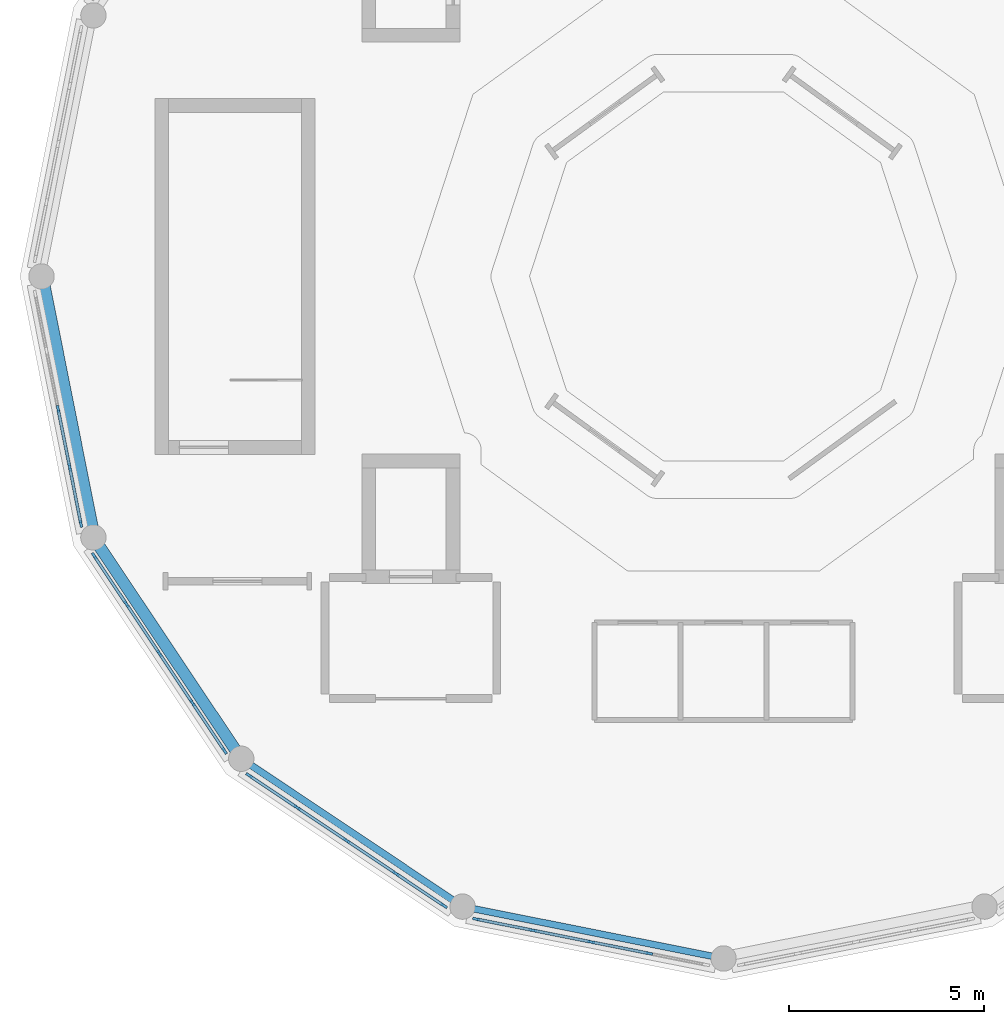
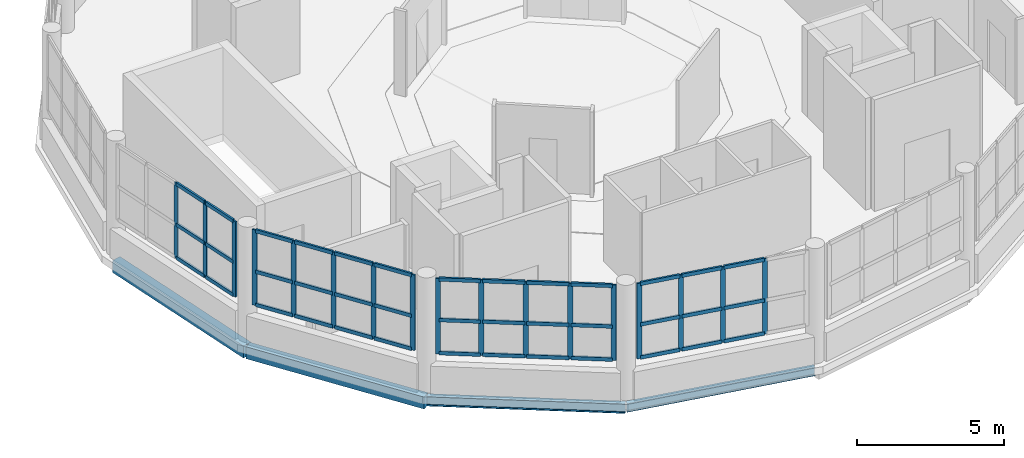
# One storey, part 2 of 12: 56 members, 4 beams, 4 elements without a shape of their own.
"""IFC4 building model written with IfcOpenShell, lengths in metres."""

from ifc_helpers import new_model, si_unit, direction, frame, origin, origin_2d, place, context, subcontext, project, spatial, rectangle, i_section, extrude, material, material_profile, profile_set, type_object, element, aggregate, save


model = new_model("IFC4")

# Units and contexts
model_context = context("Model", 3, precision=1e-05, world=origin(), true_north=direction((0.0, 1.0)))
body_context = subcontext(model_context, "Body", "Model", "MODEL_VIEW")
ifc_project = project(units=[si_unit("LENGTHUNIT", "METRE"), si_unit("AREAUNIT", "SQUARE_METRE"), si_unit("VOLUMEUNIT", "CUBIC_METRE"), si_unit("PLANEANGLEUNIT", "RADIAN"), si_unit("MASSUNIT", "GRAM", prefix="KILO")], contexts=[model_context])

# Site, building, storey
site_placement = place(None, origin())
site = spatial("IfcSite", under=ifc_project, at=site_placement, CompositionType="ELEMENT")
building_placement = place(site_placement, origin())
building = spatial("IfcBuilding", under=site, at=building_placement, Name="Soyqirgoq Riverine Aquarium", CompositionType="ELEMENT")
storey_placement = place(building_placement, frame((0.0, 0.0, 24.60009765625)))
storey = spatial("IfcBuildingStorey", under=building, at=storey_placement, Name="L06", CompositionType="ELEMENT", Elevation=24.60009765625)

# Curtain wall, members
ifc_material_1 = material(Name="Anodised aluminium acoustic solar-control clerestory glazing", Category="aluminium")
curtain_wall_type = type_object("IfcCurtainWallType", Name="CW_Clerestory_Ring", PredefinedType="NOTDEFINED", material=ifc_material_1)
curtain_wall_1_placement = place(storey_placement, origin())
curtain_wall_1 = element("IfcCurtainWall", 1, at=curtain_wall_1_placement, inside=storey, type_object=curtain_wall_type, Name="V1 L06 Curtain Wall 032", PredefinedType="NOTDEFINED")
ifc_material_2 = material(Name="Anodised aluminium 6063-T6", Category="aluminium")
ifc_material_profile_1 = material_profile(ifc_material_2, rectangle(XDim=0.06494140625, YDim=0.179931640625, at=origin_2d()), Name="ALU-M 65x180")
ifc_profile_set_1 = profile_set([ifc_material_profile_1], Name="Anodised aluminium 6063-T6")
member_type_1 = type_object("IfcMemberType", Name="CWMullion_65x180", PredefinedType="MULLION", material=ifc_profile_set_1)
member_1_placement = place(storey_placement, frame((38.9736328125, 53.61328125, 1.619873046875), z_axis=(0.0, 0.0, 1.0), x_axis=(0.980784299821, 0.19509525167, 0.0)))
member_1 = element("IfcMember", 2, at=member_1_placement, type_object=member_type_1, Name="CW-02 mullion 3", PredefinedType="MULLION", context=body_context, shape_type="SweptSolid", body=[
    extrude(rectangle(XDim=0.06494140625, YDim=0.179931640625, at=origin_2d()), origin(), (0.0, 0.0, 1.0), 3.14013671875),
])
member_2_placement = place(storey_placement, frame((39.26953125, 52.125732421875, 1.619873046875), z_axis=(0.0, 0.0, 1.0), x_axis=(0.980784299821, 0.19509525167, 0.0)))
member_2 = element("IfcMember", 3, at=member_2_placement, type_object=member_type_1, Name="CW-02 mullion 4", PredefinedType="MULLION", context=body_context, shape_type="SweptSolid", body=[
    extrude(rectangle(XDim=0.06494140625, YDim=0.179931640625, at=origin_2d()), origin(), (0.0, 0.0, 1.0), 3.14013671875),
])
member_3_placement = place(storey_placement, frame((39.55908203125, 50.670166015625, 1.619873046875), z_axis=(0.0, 0.0, 1.0), x_axis=(0.980784299821, 0.19509525167, 0.0)))
member_3 = element("IfcMember", 4, at=member_3_placement, type_object=member_type_1, Name="CW-02 mullion 5", PredefinedType="MULLION", context=body_context, shape_type="SweptSolid", body=[
    extrude(rectangle(XDim=0.06494140625, YDim=0.179931640625, at=origin_2d()), origin(), (0.0, 0.0, 1.0), 3.14013671875),
])

curtain_wall_2_placement = place(storey_placement, origin())
curtain_wall_2 = element("IfcCurtainWall", 5, at=curtain_wall_2_placement, inside=storey, type_object=curtain_wall_type, Name="V1 L06 Curtain Wall 039", PredefinedType="NOTDEFINED")
member_4_placement = place(storey_placement, frame((39.898681640625, 49.850341796875, 1.619873046875), z_axis=(0.0, 0.0, 1.0), x_axis=(0.831463994905, 0.555578639957, 0.0)))
member_4 = element("IfcMember", 6, at=member_4_placement, type_object=member_type_1, Name="CW-02 mullion 1", PredefinedType="MULLION", context=body_context, shape_type="SweptSolid", body=[
    extrude(rectangle(XDim=0.06494140625, YDim=0.179931640625, at=origin_2d()), origin(), (0.0, 0.0, 1.0), 3.14013671875),
])
member_5_placement = place(storey_placement, frame((40.72314453125, 48.6162109375, 1.619873046875), z_axis=(0.0, 0.0, 1.0), x_axis=(0.831463994905, 0.555578639957, 0.0)))
member_5 = element("IfcMember", 7, at=member_5_placement, type_object=member_type_1, Name="CW-02 mullion 2", PredefinedType="MULLION", context=body_context, shape_type="SweptSolid", body=[
    extrude(rectangle(XDim=0.06494140625, YDim=0.179931640625, at=origin_2d()), origin(), (0.0, 0.0, 1.0), 3.14013671875),
])
member_6_placement = place(storey_placement, frame((41.565673828125, 47.35546875, 1.619873046875), z_axis=(0.0, 0.0, 1.0), x_axis=(0.831463994905, 0.555578639957, 0.0)))
member_6 = element("IfcMember", 8, at=member_6_placement, type_object=member_type_1, Name="CW-02 mullion 3", PredefinedType="MULLION", context=body_context, shape_type="SweptSolid", body=[
    extrude(rectangle(XDim=0.06494140625, YDim=0.179931640625, at=origin_2d()), origin(), (0.0, 0.0, 1.0), 3.14013671875),
])
member_7_placement = place(storey_placement, frame((42.408203125, 46.094482421875, 1.619873046875), z_axis=(0.0, 0.0, 1.0), x_axis=(0.831463994905, 0.555578639957, 0.0)))
member_7 = element("IfcMember", 9, at=member_7_placement, type_object=member_type_1, Name="CW-02 mullion 4", PredefinedType="MULLION", context=body_context, shape_type="SweptSolid", body=[
    extrude(rectangle(XDim=0.06494140625, YDim=0.179931640625, at=origin_2d()), origin(), (0.0, 0.0, 1.0), 3.14013671875),
])
member_8_placement = place(storey_placement, frame((43.23291015625, 44.8603515625, 1.619873046875), z_axis=(0.0, 0.0, 1.0), x_axis=(0.831463994905, 0.555578639957, 0.0)))
member_8 = element("IfcMember", 10, at=member_8_placement, type_object=member_type_1, Name="CW-02 mullion 5", PredefinedType="MULLION", context=body_context, shape_type="SweptSolid", body=[
    extrude(rectangle(XDim=0.06494140625, YDim=0.179931640625, at=origin_2d()), origin(), (0.0, 0.0, 1.0), 3.14013671875),
])

curtain_wall_3_placement = place(storey_placement, origin())
curtain_wall_3 = element("IfcCurtainWall", 11, at=curtain_wall_3_placement, inside=storey, type_object=curtain_wall_type, Name="V1 L06 Curtain Wall 046", PredefinedType="NOTDEFINED")
member_9_placement = place(storey_placement, frame((43.8603515625, 44.23291015625, 1.619873046875), z_axis=(0.0, 0.0, 1.0), x_axis=(0.555578639957, 0.831463994905, 0.0)))
member_9 = element("IfcMember", 12, at=member_9_placement, type_object=member_type_1, Name="CW-02 mullion 1", PredefinedType="MULLION", context=body_context, shape_type="SweptSolid", body=[
    extrude(rectangle(XDim=0.06494140625, YDim=0.179931640625, at=origin_2d()), origin(), (0.0, 0.0, 1.0), 3.14013671875),
])
member_10_placement = place(storey_placement, frame((45.094482421875, 43.408203125, 1.619873046875), z_axis=(0.0, 0.0, 1.0), x_axis=(0.555578639957, 0.831463994905, 0.0)))
member_10 = element("IfcMember", 13, at=member_10_placement, type_object=member_type_1, Name="CW-02 mullion 2", PredefinedType="MULLION", context=body_context, shape_type="SweptSolid", body=[
    extrude(rectangle(XDim=0.06494140625, YDim=0.179931640625, at=origin_2d()), origin(), (0.0, 0.0, 1.0), 3.14013671875),
])
member_11_placement = place(storey_placement, frame((46.35546875, 42.565673828125, 1.619873046875), z_axis=(0.0, 0.0, 1.0), x_axis=(0.555578639957, 0.831463994905, 0.0)))
member_11 = element("IfcMember", 14, at=member_11_placement, type_object=member_type_1, Name="CW-02 mullion 3", PredefinedType="MULLION", context=body_context, shape_type="SweptSolid", body=[
    extrude(rectangle(XDim=0.06494140625, YDim=0.179931640625, at=origin_2d()), origin(), (0.0, 0.0, 1.0), 3.14013671875),
])
member_12_placement = place(storey_placement, frame((47.6162109375, 41.72314453125, 1.619873046875), z_axis=(0.0, 0.0, 1.0), x_axis=(0.555578639957, 0.831463994905, 0.0)))
member_12 = element("IfcMember", 15, at=member_12_placement, type_object=member_type_1, Name="CW-02 mullion 4", PredefinedType="MULLION", context=body_context, shape_type="SweptSolid", body=[
    extrude(rectangle(XDim=0.06494140625, YDim=0.179931640625, at=origin_2d()), origin(), (0.0, 0.0, 1.0), 3.14013671875),
])
member_13_placement = place(storey_placement, frame((48.850341796875, 40.898681640625, 1.619873046875), z_axis=(0.0, 0.0, 1.0), x_axis=(0.555578639957, 0.831463994905, 0.0)))
member_13 = element("IfcMember", 16, at=member_13_placement, type_object=member_type_1, Name="CW-02 mullion 5", PredefinedType="MULLION", context=body_context, shape_type="SweptSolid", body=[
    extrude(rectangle(XDim=0.06494140625, YDim=0.179931640625, at=origin_2d()), origin(), (0.0, 0.0, 1.0), 3.14013671875),
])

curtain_wall_4_placement = place(storey_placement, origin())
curtain_wall_4 = element("IfcCurtainWall", 17, at=curtain_wall_4_placement, inside=storey, type_object=curtain_wall_type, Name="V1 L06 Curtain Wall 053", PredefinedType="NOTDEFINED")
member_14_placement = place(storey_placement, frame((49.670166015625, 40.55908203125, 1.619873046875), z_axis=(0.0, 0.0, 1.0), x_axis=(0.19509525167, 0.980784299821, 0.0)))
member_14 = element("IfcMember", 18, at=member_14_placement, type_object=member_type_1, Name="CW-02 mullion 1", PredefinedType="MULLION", context=body_context, shape_type="SweptSolid", body=[
    extrude(rectangle(XDim=0.06494140625, YDim=0.179931640625, at=origin_2d()), origin(), (0.0, 0.0, 1.0), 3.14013671875),
])
member_15_placement = place(storey_placement, frame((51.125732421875, 40.26953125, 1.619873046875), z_axis=(0.0, 0.0, 1.0), x_axis=(0.19509525167, 0.980784299821, 0.0)))
member_15 = element("IfcMember", 19, at=member_15_placement, type_object=member_type_1, Name="CW-02 mullion 2", PredefinedType="MULLION", context=body_context, shape_type="SweptSolid", body=[
    extrude(rectangle(XDim=0.06494140625, YDim=0.179931640625, at=origin_2d()), origin(), (0.0, 0.0, 1.0), 3.14013671875),
])
member_16_placement = place(storey_placement, frame((52.61328125, 39.9736328125, 1.619873046875), z_axis=(0.0, 0.0, 1.0), x_axis=(0.19509525167, 0.980784299821, 0.0)))
member_16 = element("IfcMember", 20, at=member_16_placement, type_object=member_type_1, Name="CW-02 mullion 3", PredefinedType="MULLION", context=body_context, shape_type="SweptSolid", body=[
    extrude(rectangle(XDim=0.06494140625, YDim=0.179931640625, at=origin_2d()), origin(), (0.0, 0.0, 1.0), 3.14013671875),
])
member_17_placement = place(storey_placement, frame((54.1005859375, 39.677734375, 1.619873046875), z_axis=(0.0, 0.0, 1.0), x_axis=(0.19509525167, 0.980784299821, 0.0)))
member_17 = element("IfcMember", 21, at=member_17_placement, type_object=member_type_1, Name="CW-02 mullion 4", PredefinedType="MULLION", context=body_context, shape_type="SweptSolid", body=[
    extrude(rectangle(XDim=0.06494140625, YDim=0.179931640625, at=origin_2d()), origin(), (0.0, 0.0, 1.0), 3.14013671875),
])

# Member
ifc_material_3 = material(Name="Anodised aluminium 6063-T6", Category="aluminium")
ifc_material_profile_2 = material_profile(ifc_material_3, rectangle(XDim=0.074951171875, YDim=0.14990234375, at=origin_2d()), Name="ALU-T 75x150")
ifc_profile_set_2 = profile_set([ifc_material_profile_2], Name="Anodised aluminium 6063-T6")
member_type_2 = type_object("IfcMemberType", Name="CWTransom_75x150", PredefinedType="USERDEFINED", material=ifc_profile_set_2)
member_18_placement = place(storey_placement, frame((38.97998046875, 53.581298828125, 1.657470703125), z_axis=(0.195113295173, -0.980780710478, 0.0), x_axis=(0.980780710478, 0.195113295173, 0.0)))
member_18 = element("IfcMember", 22, at=member_18_placement, type_object=member_type_2, Name="CW-02 transom 3.1", ObjectType="TRANSOM", PredefinedType="USERDEFINED", context=body_context, shape_type="SweptSolid", body=[
    extrude(rectangle(XDim=0.074951171875, YDim=0.14990234375, at=origin_2d()), origin(), (0.0, 0.0, 1.0), 1.451416015625),
])

member_19_placement = place(storey_placement, frame((38.97998046875, 53.581298828125, 3.032958984375), z_axis=(0.195113295173, -0.980780710478, 0.0), x_axis=(0.980780710478, 0.195113295173, 0.0)))
member_19 = element("IfcMember", 23, at=member_19_placement, type_object=member_type_2, Name="CW-02 transom 3.2", ObjectType="TRANSOM", PredefinedType="USERDEFINED", context=body_context, shape_type="SweptSolid", body=[
    extrude(rectangle(XDim=0.074951171875, YDim=0.14990234375, at=origin_2d()), origin(), (0.0, 0.0, 1.0), 1.451416015625),
])

member_20_placement = place(storey_placement, frame((38.97998046875, 53.581298828125, 4.722412109375), z_axis=(0.195113295173, -0.980780710478, 0.0), x_axis=(0.980780710478, 0.195113295173, 0.0)))
member_20 = element("IfcMember", 24, at=member_20_placement, type_object=member_type_2, Name="CW-02 transom 3.3", ObjectType="TRANSOM", PredefinedType="USERDEFINED", context=body_context, shape_type="SweptSolid", body=[
    extrude(rectangle(XDim=0.074951171875, YDim=0.14990234375, at=origin_2d()), origin(), (0.0, 0.0, 1.0), 1.451416015625),
])

member_21_placement = place(storey_placement, frame((39.27587890625, 52.093994140625, 1.657470703125), z_axis=(0.195090420246, -0.980785260864, 0.0), x_axis=(0.980785260864, 0.195090420246, 0.0)))
member_21 = element("IfcMember", 25, at=member_21_placement, type_object=member_type_2, Name="CW-02 transom 4.1", ObjectType="TRANSOM", PredefinedType="USERDEFINED", context=body_context, shape_type="SweptSolid", body=[
    extrude(rectangle(XDim=0.074951171875, YDim=0.14990234375, at=origin_2d()), origin(), (0.0, 0.0, 1.0), 1.419189453125),
])

member_22_placement = place(storey_placement, frame((39.27587890625, 52.093994140625, 3.032958984375), z_axis=(0.195090420246, -0.980785260864, 0.0), x_axis=(0.980785260864, 0.195090420246, 0.0)))
member_22 = element("IfcMember", 26, at=member_22_placement, type_object=member_type_2, Name="CW-02 transom 4.2", ObjectType="TRANSOM", PredefinedType="USERDEFINED", context=body_context, shape_type="SweptSolid", body=[
    extrude(rectangle(XDim=0.074951171875, YDim=0.14990234375, at=origin_2d()), origin(), (0.0, 0.0, 1.0), 1.419189453125),
])

member_23_placement = place(storey_placement, frame((39.27587890625, 52.093994140625, 4.722412109375), z_axis=(0.195090420246, -0.980785260864, 0.0), x_axis=(0.980785260864, 0.195090420246, 0.0)))
member_23 = element("IfcMember", 27, at=member_23_placement, type_object=member_type_2, Name="CW-02 transom 4.3", ObjectType="TRANSOM", PredefinedType="USERDEFINED", context=body_context, shape_type="SweptSolid", body=[
    extrude(rectangle(XDim=0.074951171875, YDim=0.14990234375, at=origin_2d()), origin(), (0.0, 0.0, 1.0), 1.419189453125),
])

aggregate(curtain_wall_1, [member_1, member_2, member_3, member_18, member_19, member_20, member_21, member_22, member_23])

member_24_placement = place(storey_placement, frame((39.916748046875, 49.8232421875, 1.657470703125), z_axis=(0.55553367483, -0.831494038542, 0.0), x_axis=(0.831494038542, 0.55553367483, 0.0)))
member_24 = element("IfcMember", 28, at=member_24_placement, type_object=member_type_2, Name="CW-02 transom 1.1", ObjectType="TRANSOM", PredefinedType="USERDEFINED", context=body_context, shape_type="SweptSolid", body=[
    extrude(rectangle(XDim=0.074951171875, YDim=0.14990234375, at=origin_2d()), origin(), (0.0, 0.0, 1.0), 1.4189453125),
])

member_25_placement = place(storey_placement, frame((39.916748046875, 49.8232421875, 3.032958984375), z_axis=(0.55553367483, -0.831494038542, 0.0), x_axis=(0.831494038542, 0.55553367483, 0.0)))
member_25 = element("IfcMember", 29, at=member_25_placement, type_object=member_type_2, Name="CW-02 transom 1.2", ObjectType="TRANSOM", PredefinedType="USERDEFINED", context=body_context, shape_type="SweptSolid", body=[
    extrude(rectangle(XDim=0.074951171875, YDim=0.14990234375, at=origin_2d()), origin(), (0.0, 0.0, 1.0), 1.4189453125),
])

member_26_placement = place(storey_placement, frame((39.916748046875, 49.8232421875, 4.722412109375), z_axis=(0.55553367483, -0.831494038542, 0.0), x_axis=(0.831494038542, 0.55553367483, 0.0)))
member_26 = element("IfcMember", 30, at=member_26_placement, type_object=member_type_2, Name="CW-02 transom 1.3", ObjectType="TRANSOM", PredefinedType="USERDEFINED", context=body_context, shape_type="SweptSolid", body=[
    extrude(rectangle(XDim=0.074951171875, YDim=0.14990234375, at=origin_2d()), origin(), (0.0, 0.0, 1.0), 1.4189453125),
])

member_27_placement = place(storey_placement, frame((40.7412109375, 48.58935546875, 1.657470703125), z_axis=(0.555514980368, -0.831506528289, 0.0), x_axis=(0.831506528289, 0.555514980368, 0.0)))
member_27 = element("IfcMember", 31, at=member_27_placement, type_object=member_type_2, Name="CW-02 transom 2.1", ObjectType="TRANSOM", PredefinedType="USERDEFINED", context=body_context, shape_type="SweptSolid", body=[
    extrude(rectangle(XDim=0.074951171875, YDim=0.14990234375, at=origin_2d()), origin(), (0.0, 0.0, 1.0), 1.45166015625),
])

member_28_placement = place(storey_placement, frame((40.7412109375, 48.58935546875, 3.032958984375), z_axis=(0.555514980368, -0.831506528289, 0.0), x_axis=(0.831506528289, 0.555514980368, 0.0)))
member_28 = element("IfcMember", 32, at=member_28_placement, type_object=member_type_2, Name="CW-02 transom 2.2", ObjectType="TRANSOM", PredefinedType="USERDEFINED", context=body_context, shape_type="SweptSolid", body=[
    extrude(rectangle(XDim=0.074951171875, YDim=0.14990234375, at=origin_2d()), origin(), (0.0, 0.0, 1.0), 1.45166015625),
])

member_29_placement = place(storey_placement, frame((40.7412109375, 48.58935546875, 4.722412109375), z_axis=(0.555514980368, -0.831506528289, 0.0), x_axis=(0.831506528289, 0.555514980368, 0.0)))
member_29 = element("IfcMember", 33, at=member_29_placement, type_object=member_type_2, Name="CW-02 transom 2.3", ObjectType="TRANSOM", PredefinedType="USERDEFINED", context=body_context, shape_type="SweptSolid", body=[
    extrude(rectangle(XDim=0.074951171875, YDim=0.14990234375, at=origin_2d()), origin(), (0.0, 0.0, 1.0), 1.45166015625),
])

member_30_placement = place(storey_placement, frame((41.583740234375, 47.328369140625, 1.657470703125), z_axis=(0.555631247688, -0.831428840366, 0.0), x_axis=(0.831428840366, 0.555631247688, 0.0)))
member_30 = element("IfcMember", 34, at=member_30_placement, type_object=member_type_2, Name="CW-02 transom 3.1", ObjectType="TRANSOM", PredefinedType="USERDEFINED", context=body_context, shape_type="SweptSolid", body=[
    extrude(rectangle(XDim=0.074951171875, YDim=0.14990234375, at=origin_2d()), origin(), (0.0, 0.0, 1.0), 1.45166015625),
])

member_31_placement = place(storey_placement, frame((41.583740234375, 47.328369140625, 3.032958984375), z_axis=(0.555631247688, -0.831428840366, 0.0), x_axis=(0.831428840366, 0.555631247688, 0.0)))
member_31 = element("IfcMember", 35, at=member_31_placement, type_object=member_type_2, Name="CW-02 transom 3.2", ObjectType="TRANSOM", PredefinedType="USERDEFINED", context=body_context, shape_type="SweptSolid", body=[
    extrude(rectangle(XDim=0.074951171875, YDim=0.14990234375, at=origin_2d()), origin(), (0.0, 0.0, 1.0), 1.45166015625),
])

member_32_placement = place(storey_placement, frame((41.583740234375, 47.328369140625, 4.722412109375), z_axis=(0.555631247688, -0.831428840366, 0.0), x_axis=(0.831428840366, 0.555631247688, 0.0)))
member_32 = element("IfcMember", 36, at=member_32_placement, type_object=member_type_2, Name="CW-02 transom 3.3", ObjectType="TRANSOM", PredefinedType="USERDEFINED", context=body_context, shape_type="SweptSolid", body=[
    extrude(rectangle(XDim=0.074951171875, YDim=0.14990234375, at=origin_2d()), origin(), (0.0, 0.0, 1.0), 1.45166015625),
])

member_33_placement = place(storey_placement, frame((42.42626953125, 46.0673828125, 1.657470703125), z_axis=(0.555652606731, -0.831414566046, 0.0), x_axis=(0.831414566046, 0.555652606731, 0.0)))
member_33 = element("IfcMember", 37, at=member_33_placement, type_object=member_type_2, Name="CW-02 transom 4.1", ObjectType="TRANSOM", PredefinedType="USERDEFINED", context=body_context, shape_type="SweptSolid", body=[
    extrude(rectangle(XDim=0.074951171875, YDim=0.14990234375, at=origin_2d()), origin(), (0.0, 0.0, 1.0), 1.419189453125),
])

member_34_placement = place(storey_placement, frame((42.42626953125, 46.0673828125, 3.032958984375), z_axis=(0.555652606731, -0.831414566046, 0.0), x_axis=(0.831414566046, 0.555652606731, 0.0)))
member_34 = element("IfcMember", 38, at=member_34_placement, type_object=member_type_2, Name="CW-02 transom 4.2", ObjectType="TRANSOM", PredefinedType="USERDEFINED", context=body_context, shape_type="SweptSolid", body=[
    extrude(rectangle(XDim=0.074951171875, YDim=0.14990234375, at=origin_2d()), origin(), (0.0, 0.0, 1.0), 1.419189453125),
])

member_35_placement = place(storey_placement, frame((42.42626953125, 46.0673828125, 4.722412109375), z_axis=(0.555652606731, -0.831414566046, 0.0), x_axis=(0.831414566046, 0.555652606731, 0.0)))
member_35 = element("IfcMember", 39, at=member_35_placement, type_object=member_type_2, Name="CW-02 transom 4.3", ObjectType="TRANSOM", PredefinedType="USERDEFINED", context=body_context, shape_type="SweptSolid", body=[
    extrude(rectangle(XDim=0.074951171875, YDim=0.14990234375, at=origin_2d()), origin(), (0.0, 0.0, 1.0), 1.419189453125),
])

aggregate(curtain_wall_2, [member_4, member_5, member_6, member_7, member_8, member_24, member_25, member_26, member_27, member_28, member_29, member_30, member_31, member_32, member_33, member_34, member_35])

member_36_placement = place(storey_placement, frame((43.887451171875, 44.21484375, 1.657470703125), z_axis=(0.831414566046, -0.555652606731, 0.0), x_axis=(0.555652606731, 0.831414566046, 0.0)))
member_36 = element("IfcMember", 40, at=member_36_placement, type_object=member_type_2, Name="CW-02 transom 1.1", ObjectType="TRANSOM", PredefinedType="USERDEFINED", context=body_context, shape_type="SweptSolid", body=[
    extrude(rectangle(XDim=0.074951171875, YDim=0.14990234375, at=origin_2d()), origin(), (0.0, 0.0, 1.0), 1.419189453125),
])

member_37_placement = place(storey_placement, frame((43.887451171875, 44.21484375, 3.032958984375), z_axis=(0.831414566046, -0.555652606731, 0.0), x_axis=(0.555652606731, 0.831414566046, 0.0)))
member_37 = element("IfcMember", 41, at=member_37_placement, type_object=member_type_2, Name="CW-02 transom 1.2", ObjectType="TRANSOM", PredefinedType="USERDEFINED", context=body_context, shape_type="SweptSolid", body=[
    extrude(rectangle(XDim=0.074951171875, YDim=0.14990234375, at=origin_2d()), origin(), (0.0, 0.0, 1.0), 1.419189453125),
])

member_38_placement = place(storey_placement, frame((43.887451171875, 44.21484375, 4.722412109375), z_axis=(0.831414566046, -0.555652606731, 0.0), x_axis=(0.555652606731, 0.831414566046, 0.0)))
member_38 = element("IfcMember", 42, at=member_38_placement, type_object=member_type_2, Name="CW-02 transom 1.3", ObjectType="TRANSOM", PredefinedType="USERDEFINED", context=body_context, shape_type="SweptSolid", body=[
    extrude(rectangle(XDim=0.074951171875, YDim=0.14990234375, at=origin_2d()), origin(), (0.0, 0.0, 1.0), 1.419189453125),
])

member_39_placement = place(storey_placement, frame((45.121337890625, 43.390380859375, 1.657470703125), z_axis=(0.831428840366, -0.555631247688, 0.0), x_axis=(0.555631247688, 0.831428840366, 0.0)))
member_39 = element("IfcMember", 43, at=member_39_placement, type_object=member_type_2, Name="CW-02 transom 2.1", ObjectType="TRANSOM", PredefinedType="USERDEFINED", context=body_context, shape_type="SweptSolid", body=[
    extrude(rectangle(XDim=0.074951171875, YDim=0.14990234375, at=origin_2d()), origin(), (0.0, 0.0, 1.0), 1.45166015625),
])

member_40_placement = place(storey_placement, frame((45.121337890625, 43.390380859375, 3.032958984375), z_axis=(0.831428840366, -0.555631247688, 0.0), x_axis=(0.555631247688, 0.831428840366, 0.0)))
member_40 = element("IfcMember", 44, at=member_40_placement, type_object=member_type_2, Name="CW-02 transom 2.2", ObjectType="TRANSOM", PredefinedType="USERDEFINED", context=body_context, shape_type="SweptSolid", body=[
    extrude(rectangle(XDim=0.074951171875, YDim=0.14990234375, at=origin_2d()), origin(), (0.0, 0.0, 1.0), 1.45166015625),
])

member_41_placement = place(storey_placement, frame((45.121337890625, 43.390380859375, 4.722412109375), z_axis=(0.831428840366, -0.555631247688, 0.0), x_axis=(0.555631247688, 0.831428840366, 0.0)))
member_41 = element("IfcMember", 45, at=member_41_placement, type_object=member_type_2, Name="CW-02 transom 2.3", ObjectType="TRANSOM", PredefinedType="USERDEFINED", context=body_context, shape_type="SweptSolid", body=[
    extrude(rectangle(XDim=0.074951171875, YDim=0.14990234375, at=origin_2d()), origin(), (0.0, 0.0, 1.0), 1.45166015625),
])

member_42_placement = place(storey_placement, frame((46.38232421875, 42.547607421875, 1.657470703125), z_axis=(0.831506528289, -0.555514980368, 0.0), x_axis=(0.555514980368, 0.831506528289, 0.0)))
member_42 = element("IfcMember", 46, at=member_42_placement, type_object=member_type_2, Name="CW-02 transom 3.1", ObjectType="TRANSOM", PredefinedType="USERDEFINED", context=body_context, shape_type="SweptSolid", body=[
    extrude(rectangle(XDim=0.074951171875, YDim=0.14990234375, at=origin_2d()), origin(), (0.0, 0.0, 1.0), 1.45166015625),
])

member_43_placement = place(storey_placement, frame((46.38232421875, 42.547607421875, 3.032958984375), z_axis=(0.831506528289, -0.555514980368, 0.0), x_axis=(0.555514980368, 0.831506528289, 0.0)))
member_43 = element("IfcMember", 47, at=member_43_placement, type_object=member_type_2, Name="CW-02 transom 3.2", ObjectType="TRANSOM", PredefinedType="USERDEFINED", context=body_context, shape_type="SweptSolid", body=[
    extrude(rectangle(XDim=0.074951171875, YDim=0.14990234375, at=origin_2d()), origin(), (0.0, 0.0, 1.0), 1.45166015625),
])

member_44_placement = place(storey_placement, frame((46.38232421875, 42.547607421875, 4.722412109375), z_axis=(0.831506528289, -0.555514980368, 0.0), x_axis=(0.555514980368, 0.831506528289, 0.0)))
member_44 = element("IfcMember", 48, at=member_44_placement, type_object=member_type_2, Name="CW-02 transom 3.3", ObjectType="TRANSOM", PredefinedType="USERDEFINED", context=body_context, shape_type="SweptSolid", body=[
    extrude(rectangle(XDim=0.074951171875, YDim=0.14990234375, at=origin_2d()), origin(), (0.0, 0.0, 1.0), 1.45166015625),
])

member_45_placement = place(storey_placement, frame((47.643310546875, 41.705078125, 1.657470703125), z_axis=(0.831494038542, -0.55553367483, 0.0), x_axis=(0.55553367483, 0.831494038542, 0.0)))
member_45 = element("IfcMember", 49, at=member_45_placement, type_object=member_type_2, Name="CW-02 transom 4.1", ObjectType="TRANSOM", PredefinedType="USERDEFINED", context=body_context, shape_type="SweptSolid", body=[
    extrude(rectangle(XDim=0.074951171875, YDim=0.14990234375, at=origin_2d()), origin(), (0.0, 0.0, 1.0), 1.4189453125),
])

member_46_placement = place(storey_placement, frame((47.643310546875, 41.705078125, 3.032958984375), z_axis=(0.831494038542, -0.55553367483, 0.0), x_axis=(0.55553367483, 0.831494038542, 0.0)))
member_46 = element("IfcMember", 50, at=member_46_placement, type_object=member_type_2, Name="CW-02 transom 4.2", ObjectType="TRANSOM", PredefinedType="USERDEFINED", context=body_context, shape_type="SweptSolid", body=[
    extrude(rectangle(XDim=0.074951171875, YDim=0.14990234375, at=origin_2d()), origin(), (0.0, 0.0, 1.0), 1.4189453125),
])

member_47_placement = place(storey_placement, frame((47.643310546875, 41.705078125, 4.722412109375), z_axis=(0.831494038542, -0.55553367483, 0.0), x_axis=(0.55553367483, 0.831494038542, 0.0)))
member_47 = element("IfcMember", 51, at=member_47_placement, type_object=member_type_2, Name="CW-02 transom 4.3", ObjectType="TRANSOM", PredefinedType="USERDEFINED", context=body_context, shape_type="SweptSolid", body=[
    extrude(rectangle(XDim=0.074951171875, YDim=0.14990234375, at=origin_2d()), origin(), (0.0, 0.0, 1.0), 1.4189453125),
])

aggregate(curtain_wall_3, [member_9, member_10, member_11, member_12, member_13, member_36, member_37, member_38, member_39, member_40, member_41, member_42, member_43, member_44, member_45, member_46, member_47])

member_48_placement = place(storey_placement, frame((49.7021484375, 40.552734375, 1.657470703125), z_axis=(0.980785260864, -0.195090420246, 0.0), x_axis=(0.195090420246, 0.980785260864, 0.0)))
member_48 = element("IfcMember", 52, at=member_48_placement, type_object=member_type_2, Name="CW-02 transom 1.1", ObjectType="TRANSOM", PredefinedType="USERDEFINED", context=body_context, shape_type="SweptSolid", body=[
    extrude(rectangle(XDim=0.074951171875, YDim=0.14990234375, at=origin_2d()), origin(), (0.0, 0.0, 1.0), 1.419189453125),
])

member_49_placement = place(storey_placement, frame((49.7021484375, 40.552734375, 3.032958984375), z_axis=(0.980785260864, -0.195090420246, 0.0), x_axis=(0.195090420246, 0.980785260864, 0.0)))
member_49 = element("IfcMember", 53, at=member_49_placement, type_object=member_type_2, Name="CW-02 transom 1.2", ObjectType="TRANSOM", PredefinedType="USERDEFINED", context=body_context, shape_type="SweptSolid", body=[
    extrude(rectangle(XDim=0.074951171875, YDim=0.14990234375, at=origin_2d()), origin(), (0.0, 0.0, 1.0), 1.419189453125),
])

member_50_placement = place(storey_placement, frame((49.7021484375, 40.552734375, 4.722412109375), z_axis=(0.980785260864, -0.195090420246, 0.0), x_axis=(0.195090420246, 0.980785260864, 0.0)))
member_50 = element("IfcMember", 54, at=member_50_placement, type_object=member_type_2, Name="CW-02 transom 1.3", ObjectType="TRANSOM", PredefinedType="USERDEFINED", context=body_context, shape_type="SweptSolid", body=[
    extrude(rectangle(XDim=0.074951171875, YDim=0.14990234375, at=origin_2d()), origin(), (0.0, 0.0, 1.0), 1.419189453125),
])

member_51_placement = place(storey_placement, frame((51.15771484375, 40.26318359375, 1.657470703125), z_axis=(0.980780710478, -0.195113295173, 0.0), x_axis=(0.195113295173, 0.980780710478, 0.0)))
member_51 = element("IfcMember", 55, at=member_51_placement, type_object=member_type_2, Name="CW-02 transom 2.1", ObjectType="TRANSOM", PredefinedType="USERDEFINED", context=body_context, shape_type="SweptSolid", body=[
    extrude(rectangle(XDim=0.074951171875, YDim=0.14990234375, at=origin_2d()), origin(), (0.0, 0.0, 1.0), 1.451416015625),
])

member_52_placement = place(storey_placement, frame((51.15771484375, 40.26318359375, 3.032958984375), z_axis=(0.980780710478, -0.195113295173, 0.0), x_axis=(0.195113295173, 0.980780710478, 0.0)))
member_52 = element("IfcMember", 56, at=member_52_placement, type_object=member_type_2, Name="CW-02 transom 2.2", ObjectType="TRANSOM", PredefinedType="USERDEFINED", context=body_context, shape_type="SweptSolid", body=[
    extrude(rectangle(XDim=0.074951171875, YDim=0.14990234375, at=origin_2d()), origin(), (0.0, 0.0, 1.0), 1.451416015625),
])

member_53_placement = place(storey_placement, frame((51.15771484375, 40.26318359375, 4.722412109375), z_axis=(0.980780710478, -0.195113295173, 0.0), x_axis=(0.195113295173, 0.980780710478, 0.0)))
member_53 = element("IfcMember", 57, at=member_53_placement, type_object=member_type_2, Name="CW-02 transom 2.3", ObjectType="TRANSOM", PredefinedType="USERDEFINED", context=body_context, shape_type="SweptSolid", body=[
    extrude(rectangle(XDim=0.074951171875, YDim=0.14990234375, at=origin_2d()), origin(), (0.0, 0.0, 1.0), 1.451416015625),
])

member_54_placement = place(storey_placement, frame((52.64501953125, 39.96728515625, 1.657470703125), z_axis=(0.980787112176, -0.195081112847, 0.0), x_axis=(0.195081112847, 0.980787112176, 0.0)))
member_54 = element("IfcMember", 58, at=member_54_placement, type_object=member_type_2, Name="CW-02 transom 3.1", ObjectType="TRANSOM", PredefinedType="USERDEFINED", context=body_context, shape_type="SweptSolid", body=[
    extrude(rectangle(XDim=0.074951171875, YDim=0.14990234375, at=origin_2d()), origin(), (0.0, 0.0, 1.0), 1.45166015625),
])

member_55_placement = place(storey_placement, frame((52.64501953125, 39.96728515625, 3.032958984375), z_axis=(0.980787112176, -0.195081112847, 0.0), x_axis=(0.195081112847, 0.980787112176, 0.0)))
member_55 = element("IfcMember", 59, at=member_55_placement, type_object=member_type_2, Name="CW-02 transom 3.2", ObjectType="TRANSOM", PredefinedType="USERDEFINED", context=body_context, shape_type="SweptSolid", body=[
    extrude(rectangle(XDim=0.074951171875, YDim=0.14990234375, at=origin_2d()), origin(), (0.0, 0.0, 1.0), 1.45166015625),
])

member_56_placement = place(storey_placement, frame((52.64501953125, 39.96728515625, 4.722412109375), z_axis=(0.980787112176, -0.195081112847, 0.0), x_axis=(0.195081112847, 0.980787112176, 0.0)))
member_56 = element("IfcMember", 60, at=member_56_placement, type_object=member_type_2, Name="CW-02 transom 3.3", ObjectType="TRANSOM", PredefinedType="USERDEFINED", context=body_context, shape_type="SweptSolid", body=[
    extrude(rectangle(XDim=0.074951171875, YDim=0.14990234375, at=origin_2d()), origin(), (0.0, 0.0, 1.0), 1.45166015625),
])

aggregate(curtain_wall_4, [member_14, member_15, member_16, member_17, member_48, member_49, member_50, member_51, member_52, member_53, member_54, member_55, member_56])

# Beams
ifc_material_4 = material(Name="Concrete C40/50", Category="concrete")
ifc_material_profile_3 = material_profile(ifc_material_4, rectangle(XDim=0.300048828125, YDim=0.5, at=origin_2d()), Name="RC 300x500")
ifc_profile_set_3 = profile_set([ifc_material_profile_3], Name="Concrete C40/50")
beam_type_1 = type_object("IfcBeamType", Name="Spandrel_RC_300x500", PredefinedType="SPANDREL", material=ifc_profile_set_3)
beam_1_placement = place(storey_placement, frame((39.889404296875, 50.3056640625, -0.550048828125), z_axis=(0.555557213186, -0.83147831173, 0.0), x_axis=(0.83147831173, 0.555557213186, 0.0)))
element("IfcBeam", 61, at=beam_1_placement, inside=storey, type_object=beam_type_1, Name="V1 L06 Drum Spandrel Beam 0147", PredefinedType="SPANDREL", context=body_context, shape_type="SweptSolid", body=[
    extrude(rectangle(XDim=0.300048828125, YDim=0.5, at=origin_2d()), origin(), (0.0, 0.0, 1.0), 6.768798828125),
])
ifc_material_5 = material(Name="Concrete C40/50", Category="concrete")
ifc_material_profile_4 = material_profile(ifc_material_5, rectangle(XDim=0.35009765625, YDim=0.5, at=origin_2d()), Name="RC 350x500")
ifc_profile_set_4 = profile_set([ifc_material_profile_4], Name="Concrete C40/50")
beam_type_2 = type_object("IfcBeamType", Name="Spandrel_RC_350x500", PredefinedType="SPANDREL", material=ifc_profile_set_4)
beam_2_placement = place(storey_placement, frame((38.553955078125, 56.98046875, -0.550048828125), z_axis=(0.195096390568, -0.980784073274, 0.0), x_axis=(0.980784073274, 0.195096390568, 0.0)))
element("IfcBeam", 62, at=beam_2_placement, inside=storey, type_object=beam_type_2, Name="V1 L06 Drum Spandrel Beam 0146", PredefinedType="SPANDREL", context=body_context, shape_type="SweptSolid", body=[
    extrude(rectangle(XDim=0.35009765625, YDim=0.5, at=origin_2d()), origin(), (0.0, 0.0, 1.0), 6.768798828125),
])
ifc_material_6 = material(Name="Structural steel S355", Category="steel")
ifc_material_profile_5 = material_profile(ifc_material_6, i_section(OverallWidth=0.169921875, OverallDepth=0.360107421875, WebThickness=0.008056640625, FlangeThickness=0.0126953125, FilletRadius=0.01806640625, at=origin_2d()), Name="IPE 360")
ifc_profile_set_5 = profile_set([ifc_material_profile_5], Name="Structural steel S355")
beam_type_3 = type_object("IfcBeamType", Name="Spandrel_Steel_IPE360", PredefinedType="SPANDREL", material=ifc_profile_set_5)
beam_3_placement = place(storey_placement, frame((49.341796875, 40.87451171875, -0.47998046875), z_axis=(0.980784073274, -0.195096390568, 0.0), x_axis=(0.195096390568, 0.980784073274, 0.0)))
element("IfcBeam", 63, at=beam_3_placement, inside=storey, type_object=beam_type_3, Name="V1 L06 Drum Spandrel Beam 0149", PredefinedType="SPANDREL", context=body_context, shape_type="SweptSolid", body=[
    extrude(i_section(OverallWidth=0.169921875, OverallDepth=0.360107421875, WebThickness=0.008056640625, FlangeThickness=0.0126953125, FilletRadius=0.01806640625, at=origin_2d()), origin(), (0.0, 0.0, 1.0), 6.768798828125),
])
ifc_material_7 = material(Name="Structural steel S355", Category="steel")
ifc_material_profile_6 = material_profile(ifc_material_7, i_section(OverallWidth=0.179931640625, OverallDepth=0.39990234375, WebThickness=0.008544921875, FlangeThickness=0.013427734375, FilletRadius=0.02099609375, at=origin_2d()), Name="IPE 400")
ifc_profile_set_6 = profile_set([ifc_material_profile_6], Name="Structural steel S355")
beam_type_4 = type_object("IfcBeamType", Name="Spandrel_Steel_IPE400", PredefinedType="SPANDREL", material=ifc_profile_set_6)
beam_4_placement = place(storey_placement, frame((43.677490234375, 44.64990234375, -0.5), z_axis=(0.83147831173, -0.555557213186, 0.0), x_axis=(0.555557213186, 0.83147831173, 0.0)))
element("IfcBeam", 64, at=beam_4_placement, inside=storey, type_object=beam_type_4, Name="V1 L06 Drum Spandrel Beam 0148", PredefinedType="SPANDREL", context=body_context, shape_type="SweptSolid", body=[
    extrude(i_section(OverallWidth=0.179931640625, OverallDepth=0.39990234375, WebThickness=0.008544921875, FlangeThickness=0.013427734375, FilletRadius=0.02099609375, at=origin_2d()), origin(), (0.0, 0.0, 1.0), 6.768798828125),
])

save(model, "model.ifc")
